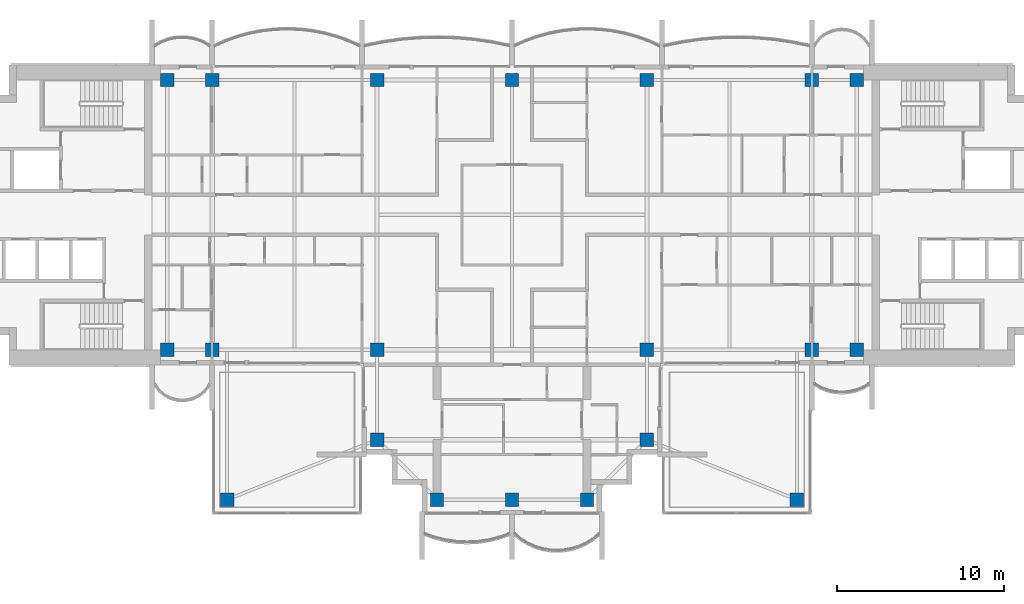
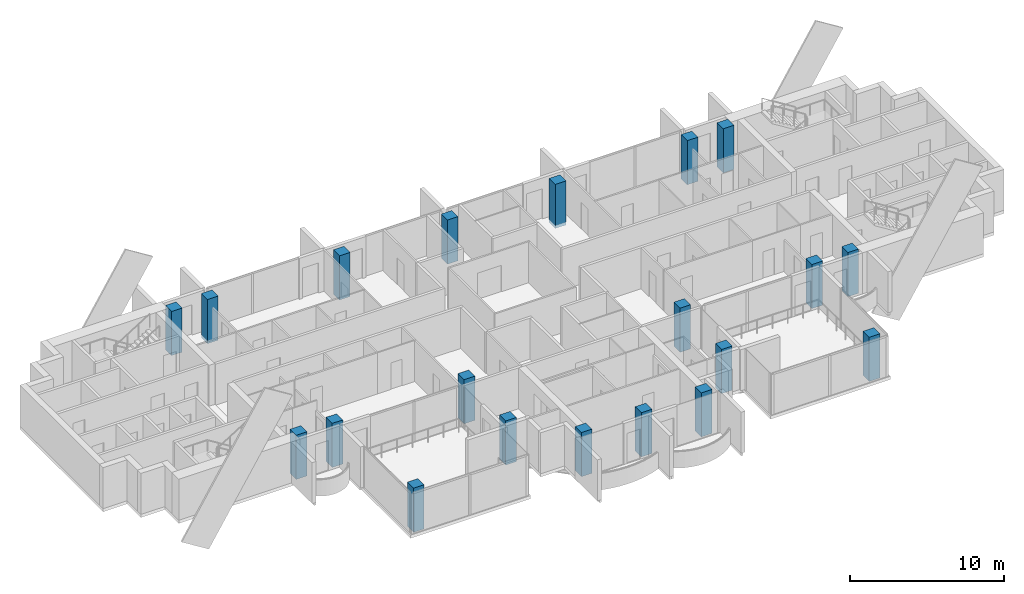
# One storey, part 1 of 16: 20 columns.
"""IFC4 building model written with IfcOpenShell, lengths in metres."""

from ifc_helpers import new_model, si_unit, direction, frame, origin, origin_2d, place, context, subcontext, project, spatial, rectangle, extrude, material, material_profile, profile_set, type_object, element, save


model = new_model("IFC4")

# Units and contexts
model_context = context("Model", 3, precision=1e-05, world=origin(), true_north=direction((0.0, 1.0)))
body_context = subcontext(model_context, "Body", "Model", "MODEL_VIEW")
ifc_project = project(units=[si_unit("LENGTHUNIT", "METRE"), si_unit("AREAUNIT", "SQUARE_METRE"), si_unit("VOLUMEUNIT", "CUBIC_METRE"), si_unit("PLANEANGLEUNIT", "RADIAN"), si_unit("MASSUNIT", "GRAM", prefix="KILO")], contexts=[model_context])

# Site, building, storey
site_placement = place(None, origin())
site = spatial("IfcSite", under=ifc_project, at=site_placement, CompositionType="ELEMENT")
building_placement = place(site_placement, origin())
building = spatial("IfcBuilding", under=site, at=building_placement, Name="Perihelion Cross Residences", CompositionType="ELEMENT")
storey_placement = place(building_placement, frame((0.0, 0.0, 271.0)))
storey = spatial("IfcBuildingStorey", under=building, at=storey_placement, Name="L69", CompositionType="ELEMENT", Elevation=271.0)

# Columns
ifc_material = material(Name="Concrete C50/60", Category="concrete")
ifc_material_profile = material_profile(ifc_material, rectangle(XDim=0.800048828125, YDim=0.800048828125, at=origin_2d()), Name="RC 800x800")
ifc_profile_set = profile_set([ifc_material_profile], Name="Concrete C50/60")
column_type = type_object("IfcColumnType", Name="Reinforced concrete column 800x800 C50/60", PredefinedType="COLUMN", material=ifc_profile_set)
for number, where, z_axis, x_axis, name in (
    (1, (-20.699951171875, -8.10009765625, -0.25), (0.0, 0.0, 1.0), (1.0, 0.0, 0.0), "Column C017 L69 no. 1"),
    (2, (-20.699951171875, 8.10009765625, -0.25), (0.0, 0.0, 1.0), (1.0, 0.0, 0.0), "Column C010 L69 no. 1"),
    (3, (-18.0, -8.10009765625, -0.25), (0.0, 0.0, 1.0), (1.0, 0.0, 0.0), "Column C018 L69 no. 1"),
    (4, (-18.0, 8.10009765625, -0.25), (0.0, 0.0, 1.0), (1.0, 0.0, 0.0), "Column C011 L69 no. 1"),
    (5, (-8.10009765625, -13.5, -0.25), (0.0, 0.0, 1.0), (1.0, 0.0, 0.0), "Column C025 L69 no. 1"),
    (6, (-8.10009765625, -8.10009765625, -0.25), (0.0, 0.0, 1.0), (1.0, 0.0, 0.0), "Column C019 L69 no. 1"),
    (7, (-8.10009765625, 8.10009765625, -0.25), (0.0, 0.0, 1.0), (1.0, 0.0, 0.0), "Column C012 L69 no. 1"),
    (8, (-4.5, -17.10009765625, -0.25), (0.0, 0.0, 1.0), (1.0, 0.0, 0.0), "Column C032 L69 no. 1"),
    (9, (0.0, -17.10009765625, -0.25), (0.0, 0.0, 1.0), (1.0, 0.0, 0.0), "Column C033 L69 no. 1"),
    (10, (0.0, 8.10009765625, -0.25), (0.0, 0.0, 1.0), (1.0, 0.0, 0.0), "Column C013 L69 no. 1"),
    (11, (4.5, -17.10009765625, -0.25), (0.0, 0.0, 1.0), (1.0, 0.0, 0.0), "Column C034 L69 no. 1"),
    (12, (8.10009765625, -13.5, -0.25), (0.0, 0.0, 1.0), (1.0, 0.0, 0.0), "Column C029 L69 no. 1"),
    (13, (8.10009765625, -8.10009765625, -0.25), (0.0, 0.0, 1.0), (1.0, 0.0, 0.0), "Column C020 L69 no. 1"),
    (14, (8.10009765625, 8.10009765625, -0.25), (0.0, 0.0, 1.0), (1.0, 0.0, 0.0), "Column C014 L69 no. 1"),
    (15, (18.0, -8.10009765625, -0.25), (0.0, 0.0, 1.0), (1.0, 0.0, 0.0), "Column C021 L69 no. 1"),
    (16, (18.0, 8.10009765625, -0.25), (0.0, 0.0, 1.0), (1.0, 0.0, 0.0), "Column C015 L69 no. 1"),
    (17, (20.699951171875, -8.10009765625, -0.25), (0.0, 0.0, 1.0), (1.0, 0.0, 0.0), "Column C022 L69 no. 1"),
    (18, (20.699951171875, 8.10009765625, -0.25), (0.0, 0.0, 1.0), (1.0, 0.0, 0.0), "Column C016 L69 no. 1"),
    (19, (-17.10009765625, -17.10009765625, -0.25), (0.0, 0.0, 1.0), (1.0, 0.0, 0.0), "Column C030 L69 no. 1"),
    (20, (17.10009765625, -17.10009765625, -0.25), (0.0, 0.0, 1.0), (1.0, 0.0, 0.0), "Column C036 L69 no. 1"),
):
    element("IfcColumn", number, at=place(storey_placement, frame(where, z_axis=z_axis, x_axis=x_axis)), inside=storey, type_object=column_type, Name=name, PredefinedType="COLUMN", context=body_context, shape_type="SweptSolid", body=[
        extrude(rectangle(XDim=0.800048828125, YDim=0.800048828125, at=origin_2d()), origin(), (0.0, 0.0, 1.0), 3.5),
    ])

save(model, "model.ifc")
